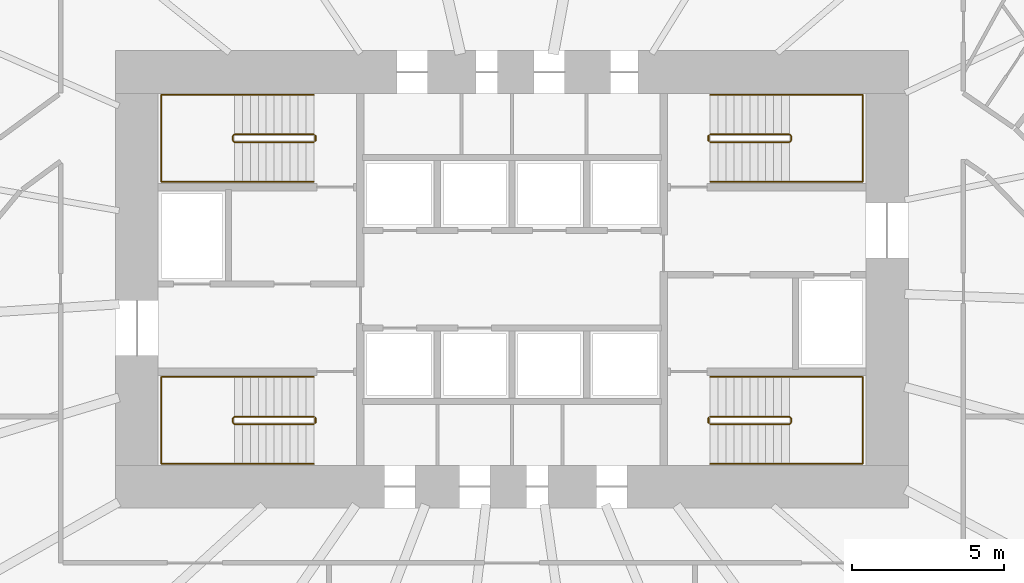
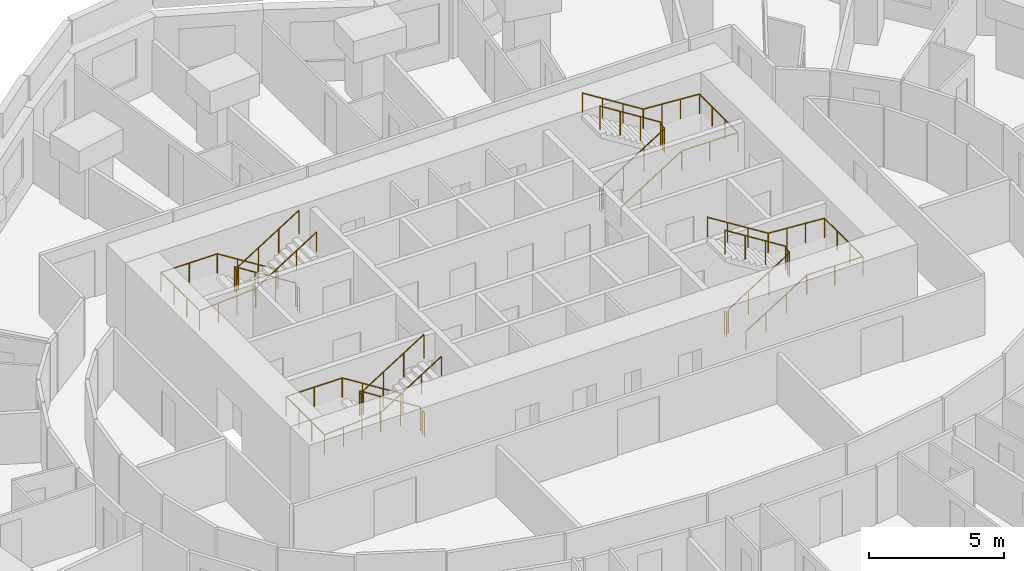
# One storey, part 12 of 12: 12 railings.
"""IFC4 building model written with IfcOpenShell, lengths in metres."""

from ifc_helpers import new_model, si_unit, direction, frame, origin, origin_2d, place, context, subcontext, project, spatial, circle, extrude, material, type_object, element, save


model = new_model("IFC4")

# Units and contexts
model_context = context("Model", 3, precision=1e-05, world=origin(), true_north=direction((0.0, 1.0)))
body_context = subcontext(model_context, "Body", "Model", "MODEL_VIEW")
ifc_project = project(units=[si_unit("LENGTHUNIT", "METRE"), si_unit("AREAUNIT", "SQUARE_METRE"), si_unit("VOLUMEUNIT", "CUBIC_METRE"), si_unit("PLANEANGLEUNIT", "RADIAN"), si_unit("MASSUNIT", "GRAM", prefix="KILO")], contexts=[model_context])

# Site, building, storey
site_placement = place(None, origin())
site = spatial("IfcSite", under=ifc_project, at=site_placement, CompositionType="ELEMENT")
building_placement = place(site_placement, origin())
building = spatial("IfcBuilding", under=site, at=building_placement, Name="Rubra Terraces Tower", CompositionType="ELEMENT")
storey_placement = place(building_placement, frame((0.0, 0.0, 73.5)))
storey = spatial("IfcBuildingStorey", under=building, at=storey_placement, Name="L16", CompositionType="ELEMENT", Elevation=73.5)

# Railings
ifc_material = material(Name="Stainless steel", Category="steel")
railing_type_1 = type_object("IfcRailingType", Name="Core stair guard 1100", PredefinedType="GUARDRAIL", material=ifc_material)
railing_1_placement = place(storey_placement, frame((-6.5, 0.0, 0.16357421875)))
element("IfcRailing", 1, at=railing_1_placement, inside=storey, type_object=railing_type_1, Name="L16 stair S1 guard 1", PredefinedType="GUARDRAIL", context=body_context, shape_type="SweptSolid", body=[
    extrude(circle(Radius=0.02392578125, at=origin_2d()), frame((0.0, 0.0, 1.076171875), z_axis=(-0.846324394277, 0.0, 0.532667832379), x_axis=(0.0, -1.0, 0.0)), (0.0, 0.0, 1.0), 3.072265625),
    extrude(circle(Radius=0.02392578125, at=origin_2d()), frame((-2.60009765625, 0.0, 2.71240234375), z_axis=(-0.705375805398, -0.708833529934, 0.0), x_axis=(0.708833529934, -0.705375805398, 0.0)), (0.0, 0.0, 1.0), 0.070556640625),
    extrude(circle(Radius=0.02392578125, at=origin_2d()), frame((-2.64990234375, -0.050048828125, 2.71240234375), z_axis=(0.0, -1.0, 0.0), x_axis=(1.0, 0.0, 0.0)), (0.0, 0.0, 1.0), 0.14990234375),
    extrude(circle(Radius=0.02392578125, at=origin_2d()), frame((-2.64990234375, -0.199951171875, 2.71240234375), z_axis=(0.279546231943, -0.280916556609, 0.91811752648), x_axis=(0.708833529934, 0.705375805398, 0.0)), (0.0, 0.0, 1.0), 0.17822265625),
    extrude(circle(Radius=0.02392578125, at=origin_2d()), frame((-2.60009765625, -0.25, 2.8759765625), z_axis=(0.846324394277, 0.0, 0.532667832379), x_axis=(0.0, 1.0, 0.0)), (0.0, 0.0, 1.0), 3.072265625),
    extrude(circle(Radius=0.02099609375, at=origin_2d()), origin(), (0.0, 0.0, 1.0), 1.052001953125),
    extrude(circle(Radius=0.02099609375, at=origin_2d()), frame((-0.86669921875, 0.0, 0.54541015625)), (0.0, 0.0, 1.0), 1.052001953125),
    extrude(circle(Radius=0.02099609375, at=origin_2d()), frame((-1.7333984375, 0.0, 1.091064453125)), (0.0, 0.0, 1.0), 1.052001953125),
    extrude(circle(Radius=0.02099609375, at=origin_2d()), frame((-2.60009765625, 0.0, 1.636474609375)), (0.0, 0.0, 1.0), 1.052001953125),
    extrude(circle(Radius=0.02099609375, at=origin_2d()), frame((-2.64990234375, -0.050048828125, 1.636474609375)), (0.0, 0.0, 1.0), 1.052001953125),
    extrude(circle(Radius=0.02099609375, at=origin_2d()), frame((-2.64990234375, -0.199951171875, 1.636474609375)), (0.0, 0.0, 1.0), 1.052001953125),
    extrude(circle(Radius=0.02099609375, at=origin_2d()), frame((-2.60009765625, -0.25, 1.800048828125)), (0.0, 0.0, 1.0), 1.052001953125),
    extrude(circle(Radius=0.02099609375, at=origin_2d()), frame((-1.7333984375, -0.25, 2.345458984375)), (0.0, 0.0, 1.0), 1.052001953125),
    extrude(circle(Radius=0.02099609375, at=origin_2d()), frame((-0.86669921875, -0.25, 2.89111328125)), (0.0, 0.0, 1.0), 1.052001953125),
    extrude(circle(Radius=0.02099609375, at=origin_2d()), frame((0.0, -0.25, 3.4365234375)), (0.0, 0.0, 1.0), 1.052001953125),
])
railing_2_placement = place(storey_placement, frame((-6.449951171875, -0.050048828125, 0.0)))
element("IfcRailing", 2, at=railing_2_placement, inside=storey, type_object=railing_type_1, Name="L16 stair S1 guard 2", PredefinedType="GUARDRAIL", context=body_context, shape_type="SweptSolid", body=[
    extrude(circle(Radius=0.02392578125, at=origin_2d()), frame((0.0, 0.0, 1.076171875), z_axis=(0.0, -1.0, 0.0), x_axis=(1.0, 0.0, 0.0)), (0.0, 0.0, 1.0), 0.14990234375),
    extrude(circle(Radius=0.02099609375, at=origin_2d()), origin(), (0.0, 0.0, 1.0), 1.052001953125),
    extrude(circle(Radius=0.02099609375, at=origin_2d()), frame((0.0, -0.14990234375, 0.0)), (0.0, 0.0, 1.0), 1.052001953125),
])
railing_3_placement = place(storey_placement, frame((-6.5, 9.25, 0.16357421875)))
element("IfcRailing", 3, at=railing_3_placement, inside=storey, type_object=railing_type_1, Name="L16 stair S2 guard 1", PredefinedType="GUARDRAIL", context=body_context, shape_type="SweptSolid", body=[
    extrude(circle(Radius=0.02392578125, at=origin_2d()), frame((0.0, 0.0, 1.076171875), z_axis=(-0.846324394277, 0.0, 0.532667832379), x_axis=(0.0, -1.0, 0.0)), (0.0, 0.0, 1.0), 3.072265625),
    extrude(circle(Radius=0.02392578125, at=origin_2d()), frame((-2.60009765625, 0.0, 2.71240234375), z_axis=(-0.705375805398, -0.708833529934, 0.0), x_axis=(0.708833529934, -0.705375805398, 0.0)), (0.0, 0.0, 1.0), 0.070556640625),
    extrude(circle(Radius=0.02392578125, at=origin_2d()), frame((-2.64990234375, -0.050048828125, 2.71240234375), z_axis=(0.0, -1.0, 0.0), x_axis=(1.0, 0.0, 0.0)), (0.0, 0.0, 1.0), 0.14990234375),
    extrude(circle(Radius=0.02392578125, at=origin_2d()), frame((-2.64990234375, -0.199951171875, 2.71240234375), z_axis=(0.279546231943, -0.280916556609, 0.91811752648), x_axis=(0.708833529934, 0.705375805398, 0.0)), (0.0, 0.0, 1.0), 0.17822265625),
    extrude(circle(Radius=0.02392578125, at=origin_2d()), frame((-2.60009765625, -0.25, 2.8759765625), z_axis=(0.846324394277, 0.0, 0.532667832379), x_axis=(0.0, 1.0, 0.0)), (0.0, 0.0, 1.0), 3.072265625),
    extrude(circle(Radius=0.02099609375, at=origin_2d()), origin(), (0.0, 0.0, 1.0), 1.052001953125),
    extrude(circle(Radius=0.02099609375, at=origin_2d()), frame((-0.86669921875, 0.0, 0.54541015625)), (0.0, 0.0, 1.0), 1.052001953125),
    extrude(circle(Radius=0.02099609375, at=origin_2d()), frame((-1.7333984375, 0.0, 1.091064453125)), (0.0, 0.0, 1.0), 1.052001953125),
    extrude(circle(Radius=0.02099609375, at=origin_2d()), frame((-2.60009765625, 0.0, 1.636474609375)), (0.0, 0.0, 1.0), 1.052001953125),
    extrude(circle(Radius=0.02099609375, at=origin_2d()), frame((-2.64990234375, -0.050048828125, 1.636474609375)), (0.0, 0.0, 1.0), 1.052001953125),
    extrude(circle(Radius=0.02099609375, at=origin_2d()), frame((-2.64990234375, -0.199951171875, 1.636474609375)), (0.0, 0.0, 1.0), 1.052001953125),
    extrude(circle(Radius=0.02099609375, at=origin_2d()), frame((-2.60009765625, -0.25, 1.800048828125)), (0.0, 0.0, 1.0), 1.052001953125),
    extrude(circle(Radius=0.02099609375, at=origin_2d()), frame((-1.7333984375, -0.25, 2.345458984375)), (0.0, 0.0, 1.0), 1.052001953125),
    extrude(circle(Radius=0.02099609375, at=origin_2d()), frame((-0.86669921875, -0.25, 2.89111328125)), (0.0, 0.0, 1.0), 1.052001953125),
    extrude(circle(Radius=0.02099609375, at=origin_2d()), frame((0.0, -0.25, 3.4365234375)), (0.0, 0.0, 1.0), 1.052001953125),
])
railing_4_placement = place(storey_placement, frame((-6.449951171875, 9.199951171875, 0.0)))
element("IfcRailing", 4, at=railing_4_placement, inside=storey, type_object=railing_type_1, Name="L16 stair S2 guard 2", PredefinedType="GUARDRAIL", context=body_context, shape_type="SweptSolid", body=[
    extrude(circle(Radius=0.02392578125, at=origin_2d()), frame((0.0, 0.0, 1.076171875), z_axis=(0.0, -1.0, 0.0), x_axis=(1.0, 0.0, 0.0)), (0.0, 0.0, 1.0), 0.14990234375),
    extrude(circle(Radius=0.02099609375, at=origin_2d()), origin(), (0.0, 0.0, 1.0), 1.052001953125),
    extrude(circle(Radius=0.02099609375, at=origin_2d()), frame((0.0, -0.14990234375, 0.0)), (0.0, 0.0, 1.0), 1.052001953125),
])
railing_5_placement = place(storey_placement, frame((6.5, 9.0, 0.16357421875)))
element("IfcRailing", 5, at=railing_5_placement, inside=storey, type_object=railing_type_1, Name="L16 stair S3 guard 1", PredefinedType="GUARDRAIL", context=body_context, shape_type="SweptSolid", body=[
    extrude(circle(Radius=0.02392578125, at=origin_2d()), frame((0.0, 0.0, 1.076171875), z_axis=(0.846324394277, 0.0, 0.532667832379), x_axis=(0.0, 1.0, 0.0)), (0.0, 0.0, 1.0), 3.072265625),
    extrude(circle(Radius=0.02392578125, at=origin_2d()), frame((2.60009765625, 0.0, 2.71240234375), z_axis=(0.705375805398, 0.708833529934, 0.0), x_axis=(-0.708833529934, 0.705375805398, 0.0)), (0.0, 0.0, 1.0), 0.070556640625),
    extrude(circle(Radius=0.02392578125, at=origin_2d()), frame((2.64990234375, 0.050048828125, 2.71240234375), z_axis=(0.0, 1.0, 0.0), x_axis=(-1.0, 0.0, 0.0)), (0.0, 0.0, 1.0), 0.14990234375),
    extrude(circle(Radius=0.02392578125, at=origin_2d()), frame((2.64990234375, 0.199951171875, 2.71240234375), z_axis=(-0.279546231943, 0.280916556609, 0.91811752648), x_axis=(-0.708833529934, -0.705375805398, 0.0)), (0.0, 0.0, 1.0), 0.17822265625),
    extrude(circle(Radius=0.02392578125, at=origin_2d()), frame((2.60009765625, 0.25, 2.8759765625), z_axis=(-0.846324394277, 0.0, 0.532667832379), x_axis=(0.0, -1.0, 0.0)), (0.0, 0.0, 1.0), 3.072265625),
    extrude(circle(Radius=0.02099609375, at=origin_2d()), origin(), (0.0, 0.0, 1.0), 1.052001953125),
    extrude(circle(Radius=0.02099609375, at=origin_2d()), frame((0.86669921875, 0.0, 0.54541015625)), (0.0, 0.0, 1.0), 1.052001953125),
    extrude(circle(Radius=0.02099609375, at=origin_2d()), frame((1.7333984375, 0.0, 1.091064453125)), (0.0, 0.0, 1.0), 1.052001953125),
    extrude(circle(Radius=0.02099609375, at=origin_2d()), frame((2.60009765625, 0.0, 1.636474609375)), (0.0, 0.0, 1.0), 1.052001953125),
    extrude(circle(Radius=0.02099609375, at=origin_2d()), frame((2.64990234375, 0.050048828125, 1.636474609375)), (0.0, 0.0, 1.0), 1.052001953125),
    extrude(circle(Radius=0.02099609375, at=origin_2d()), frame((2.64990234375, 0.199951171875, 1.636474609375)), (0.0, 0.0, 1.0), 1.052001953125),
    extrude(circle(Radius=0.02099609375, at=origin_2d()), frame((2.60009765625, 0.25, 1.800048828125)), (0.0, 0.0, 1.0), 1.052001953125),
    extrude(circle(Radius=0.02099609375, at=origin_2d()), frame((1.7333984375, 0.25, 2.345458984375)), (0.0, 0.0, 1.0), 1.052001953125),
    extrude(circle(Radius=0.02099609375, at=origin_2d()), frame((0.86669921875, 0.25, 2.89111328125)), (0.0, 0.0, 1.0), 1.052001953125),
    extrude(circle(Radius=0.02099609375, at=origin_2d()), frame((0.0, 0.25, 3.4365234375)), (0.0, 0.0, 1.0), 1.052001953125),
])
railing_6_placement = place(storey_placement, frame((6.449951171875, 9.050048828125, 0.0)))
element("IfcRailing", 6, at=railing_6_placement, inside=storey, type_object=railing_type_1, Name="L16 stair S3 guard 2", PredefinedType="GUARDRAIL", context=body_context, shape_type="SweptSolid", body=[
    extrude(circle(Radius=0.02392578125, at=origin_2d()), frame((0.0, 0.0, 1.076171875), z_axis=(0.0, 1.0, 0.0), x_axis=(-1.0, 0.0, 0.0)), (0.0, 0.0, 1.0), 0.14990234375),
    extrude(circle(Radius=0.02099609375, at=origin_2d()), origin(), (0.0, 0.0, 1.0), 1.052001953125),
    extrude(circle(Radius=0.02099609375, at=origin_2d()), frame((0.0, 0.14990234375, 0.0)), (0.0, 0.0, 1.0), 1.052001953125),
])
railing_7_placement = place(storey_placement, frame((6.5, -0.25, 0.16357421875)))
element("IfcRailing", 7, at=railing_7_placement, inside=storey, type_object=railing_type_1, Name="L16 stair S4 guard 1", PredefinedType="GUARDRAIL", context=body_context, shape_type="SweptSolid", body=[
    extrude(circle(Radius=0.02392578125, at=origin_2d()), frame((0.0, 0.0, 1.076171875), z_axis=(0.846324394277, 0.0, 0.532667832379), x_axis=(0.0, 1.0, 0.0)), (0.0, 0.0, 1.0), 3.072265625),
    extrude(circle(Radius=0.02392578125, at=origin_2d()), frame((2.60009765625, 0.0, 2.71240234375), z_axis=(0.705375805398, 0.708833529934, 0.0), x_axis=(-0.708833529934, 0.705375805398, 0.0)), (0.0, 0.0, 1.0), 0.070556640625),
    extrude(circle(Radius=0.02392578125, at=origin_2d()), frame((2.64990234375, 0.050048828125, 2.71240234375), z_axis=(0.0, 1.0, 0.0), x_axis=(-1.0, 0.0, 0.0)), (0.0, 0.0, 1.0), 0.14990234375),
    extrude(circle(Radius=0.02392578125, at=origin_2d()), frame((2.64990234375, 0.199951171875, 2.71240234375), z_axis=(-0.279546231943, 0.280916556609, 0.91811752648), x_axis=(-0.708833529934, -0.705375805398, 0.0)), (0.0, 0.0, 1.0), 0.17822265625),
    extrude(circle(Radius=0.02392578125, at=origin_2d()), frame((2.60009765625, 0.25, 2.8759765625), z_axis=(-0.846324394277, 0.0, 0.532667832379), x_axis=(0.0, -1.0, 0.0)), (0.0, 0.0, 1.0), 3.072265625),
    extrude(circle(Radius=0.02099609375, at=origin_2d()), origin(), (0.0, 0.0, 1.0), 1.052001953125),
    extrude(circle(Radius=0.02099609375, at=origin_2d()), frame((0.86669921875, 0.0, 0.54541015625)), (0.0, 0.0, 1.0), 1.052001953125),
    extrude(circle(Radius=0.02099609375, at=origin_2d()), frame((1.7333984375, 0.0, 1.091064453125)), (0.0, 0.0, 1.0), 1.052001953125),
    extrude(circle(Radius=0.02099609375, at=origin_2d()), frame((2.60009765625, 0.0, 1.636474609375)), (0.0, 0.0, 1.0), 1.052001953125),
    extrude(circle(Radius=0.02099609375, at=origin_2d()), frame((2.64990234375, 0.050048828125, 1.636474609375)), (0.0, 0.0, 1.0), 1.052001953125),
    extrude(circle(Radius=0.02099609375, at=origin_2d()), frame((2.64990234375, 0.199951171875, 1.636474609375)), (0.0, 0.0, 1.0), 1.052001953125),
    extrude(circle(Radius=0.02099609375, at=origin_2d()), frame((2.60009765625, 0.25, 1.800048828125)), (0.0, 0.0, 1.0), 1.052001953125),
    extrude(circle(Radius=0.02099609375, at=origin_2d()), frame((1.7333984375, 0.25, 2.345458984375)), (0.0, 0.0, 1.0), 1.052001953125),
    extrude(circle(Radius=0.02099609375, at=origin_2d()), frame((0.86669921875, 0.25, 2.89111328125)), (0.0, 0.0, 1.0), 1.052001953125),
    extrude(circle(Radius=0.02099609375, at=origin_2d()), frame((0.0, 0.25, 3.4365234375)), (0.0, 0.0, 1.0), 1.052001953125),
])
railing_8_placement = place(storey_placement, frame((6.449951171875, -0.199951171875, 0.0)))
element("IfcRailing", 8, at=railing_8_placement, inside=storey, type_object=railing_type_1, Name="L16 stair S4 guard 2", PredefinedType="GUARDRAIL", context=body_context, shape_type="SweptSolid", body=[
    extrude(circle(Radius=0.02392578125, at=origin_2d()), frame((0.0, 0.0, 1.076171875), z_axis=(0.0, 1.0, 0.0), x_axis=(-1.0, 0.0, 0.0)), (0.0, 0.0, 1.0), 0.14990234375),
    extrude(circle(Radius=0.02099609375, at=origin_2d()), origin(), (0.0, 0.0, 1.0), 1.052001953125),
    extrude(circle(Radius=0.02099609375, at=origin_2d()), frame((0.0, 0.14990234375, 0.0)), (0.0, 0.0, 1.0), 1.052001953125),
])
railing_type_2 = type_object("IfcRailingType", Name="Core stair handrail 900", PredefinedType="HANDRAIL", material=ifc_material)
railing_9_placement = place(storey_placement, frame((-6.5, 1.300048828125, 0.16357421875)))
element("IfcRailing", 9, at=railing_9_placement, inside=storey, type_object=railing_type_2, Name="L16 stair S1 handrail 1", PredefinedType="HANDRAIL", context=body_context, shape_type="SweptSolid", body=[
    extrude(circle(Radius=0.02392578125, at=origin_2d()), frame((0.0, 0.0, 0.8759765625), z_axis=(-0.846324394277, 0.0, 0.532667832379), x_axis=(0.0, -1.0, 0.0)), (0.0, 0.0, 1.0), 3.072265625),
    extrude(circle(Radius=0.02392578125, at=origin_2d()), frame((-2.60009765625, 0.0, 2.51220703125), z_axis=(-1.0, 0.0, 0.0), x_axis=(0.0, -1.0, 0.0)), (0.0, 0.0, 1.0), 2.39990234375),
    extrude(circle(Radius=0.02392578125, at=origin_2d()), frame((-5.0, 0.0, 2.51220703125), z_axis=(0.0, -1.0, 0.0), x_axis=(1.0, 0.0, 0.0)), (0.0, 0.0, 1.0), 2.85009765625),
    extrude(circle(Radius=0.02392578125, at=origin_2d()), frame((-5.0, -2.85009765625, 2.51220703125), z_axis=(0.997685257876, 0.0, 0.068000928055), x_axis=(0.0, 1.0, 0.0)), (0.0, 0.0, 1.0), 2.405517578125),
    extrude(circle(Radius=0.02392578125, at=origin_2d()), frame((-2.60009765625, -2.85009765625, 2.67578125), z_axis=(0.846324394277, 0.0, 0.532667832379), x_axis=(0.0, 1.0, 0.0)), (0.0, 0.0, 1.0), 3.072265625),
    extrude(circle(Radius=0.02099609375, at=origin_2d()), origin(), (0.0, 0.0, 1.0), 0.851806640625),
    extrude(circle(Radius=0.02099609375, at=origin_2d()), frame((-0.86669921875, 0.0, 0.54541015625)), (0.0, 0.0, 1.0), 0.851806640625),
    extrude(circle(Radius=0.02099609375, at=origin_2d()), frame((-1.7333984375, 0.0, 1.091064453125)), (0.0, 0.0, 1.0), 0.851806640625),
    extrude(circle(Radius=0.02099609375, at=origin_2d()), frame((-2.60009765625, 0.0, 1.636474609375)), (0.0, 0.0, 1.0), 0.851806640625),
    extrude(circle(Radius=0.02099609375, at=origin_2d()), frame((-3.800048828125, 0.0, 1.636474609375)), (0.0, 0.0, 1.0), 0.851806640625),
    extrude(circle(Radius=0.02099609375, at=origin_2d()), frame((-5.0, 0.0, 1.636474609375)), (0.0, 0.0, 1.0), 0.851806640625),
    extrude(circle(Radius=0.02099609375, at=origin_2d()), frame((-5.0, -0.949951171875, 1.636474609375)), (0.0, 0.0, 1.0), 0.851806640625),
    extrude(circle(Radius=0.02099609375, at=origin_2d()), frame((-5.0, -1.900146484375, 1.636474609375)), (0.0, 0.0, 1.0), 0.851806640625),
    extrude(circle(Radius=0.02099609375, at=origin_2d()), frame((-5.0, -2.85009765625, 1.636474609375)), (0.0, 0.0, 1.0), 0.851806640625),
    extrude(circle(Radius=0.02099609375, at=origin_2d()), frame((-4.199951171875, -2.85009765625, 1.69091796875)), (0.0, 0.0, 1.0), 0.851806640625),
    extrude(circle(Radius=0.02099609375, at=origin_2d()), frame((-3.400146484375, -2.85009765625, 1.74560546875)), (0.0, 0.0, 1.0), 0.851806640625),
    extrude(circle(Radius=0.02099609375, at=origin_2d()), frame((-2.60009765625, -2.85009765625, 1.800048828125)), (0.0, 0.0, 1.0), 0.851806640625),
    extrude(circle(Radius=0.02099609375, at=origin_2d()), frame((-1.7333984375, -2.85009765625, 2.345458984375)), (0.0, 0.0, 1.0), 0.851806640625),
    extrude(circle(Radius=0.02099609375, at=origin_2d()), frame((-0.86669921875, -2.85009765625, 2.89111328125)), (0.0, 0.0, 1.0), 0.851806640625),
    extrude(circle(Radius=0.02099609375, at=origin_2d()), frame((0.0, -2.85009765625, 3.4365234375)), (0.0, 0.0, 1.0), 0.851806640625),
])
railing_10_placement = place(storey_placement, frame((-6.5, 10.550048828125, 0.16357421875)))
element("IfcRailing", 10, at=railing_10_placement, inside=storey, type_object=railing_type_2, Name="L16 stair S2 handrail 1", PredefinedType="HANDRAIL", context=body_context, shape_type="SweptSolid", body=[
    extrude(circle(Radius=0.02392578125, at=origin_2d()), frame((0.0, 0.0, 0.8759765625), z_axis=(-0.846324394277, 0.0, 0.532667832379), x_axis=(0.0, -1.0, 0.0)), (0.0, 0.0, 1.0), 3.072265625),
    extrude(circle(Radius=0.02392578125, at=origin_2d()), frame((-2.60009765625, 0.0, 2.51220703125), z_axis=(-1.0, 0.0, 0.0), x_axis=(0.0, -1.0, 0.0)), (0.0, 0.0, 1.0), 2.39990234375),
    extrude(circle(Radius=0.02392578125, at=origin_2d()), frame((-5.0, 0.0, 2.51220703125), z_axis=(0.0, -1.0, 0.0), x_axis=(1.0, 0.0, 0.0)), (0.0, 0.0, 1.0), 2.85009765625),
    extrude(circle(Radius=0.02392578125, at=origin_2d()), frame((-5.0, -2.85009765625, 2.51220703125), z_axis=(0.997685257876, 0.0, 0.068000928055), x_axis=(0.0, 1.0, 0.0)), (0.0, 0.0, 1.0), 2.405517578125),
    extrude(circle(Radius=0.02392578125, at=origin_2d()), frame((-2.60009765625, -2.85009765625, 2.67578125), z_axis=(0.846324394277, 0.0, 0.532667832379), x_axis=(0.0, 1.0, 0.0)), (0.0, 0.0, 1.0), 3.072265625),
    extrude(circle(Radius=0.02099609375, at=origin_2d()), origin(), (0.0, 0.0, 1.0), 0.851806640625),
    extrude(circle(Radius=0.02099609375, at=origin_2d()), frame((-0.86669921875, 0.0, 0.54541015625)), (0.0, 0.0, 1.0), 0.851806640625),
    extrude(circle(Radius=0.02099609375, at=origin_2d()), frame((-1.7333984375, 0.0, 1.091064453125)), (0.0, 0.0, 1.0), 0.851806640625),
    extrude(circle(Radius=0.02099609375, at=origin_2d()), frame((-2.60009765625, 0.0, 1.636474609375)), (0.0, 0.0, 1.0), 0.851806640625),
    extrude(circle(Radius=0.02099609375, at=origin_2d()), frame((-3.800048828125, 0.0, 1.636474609375)), (0.0, 0.0, 1.0), 0.851806640625),
    extrude(circle(Radius=0.02099609375, at=origin_2d()), frame((-5.0, 0.0, 1.636474609375)), (0.0, 0.0, 1.0), 0.851806640625),
    extrude(circle(Radius=0.02099609375, at=origin_2d()), frame((-5.0, -0.949951171875, 1.636474609375)), (0.0, 0.0, 1.0), 0.851806640625),
    extrude(circle(Radius=0.02099609375, at=origin_2d()), frame((-5.0, -1.900146484375, 1.636474609375)), (0.0, 0.0, 1.0), 0.851806640625),
    extrude(circle(Radius=0.02099609375, at=origin_2d()), frame((-5.0, -2.85009765625, 1.636474609375)), (0.0, 0.0, 1.0), 0.851806640625),
    extrude(circle(Radius=0.02099609375, at=origin_2d()), frame((-4.199951171875, -2.85009765625, 1.69091796875)), (0.0, 0.0, 1.0), 0.851806640625),
    extrude(circle(Radius=0.02099609375, at=origin_2d()), frame((-3.400146484375, -2.85009765625, 1.74560546875)), (0.0, 0.0, 1.0), 0.851806640625),
    extrude(circle(Radius=0.02099609375, at=origin_2d()), frame((-2.60009765625, -2.85009765625, 1.800048828125)), (0.0, 0.0, 1.0), 0.851806640625),
    extrude(circle(Radius=0.02099609375, at=origin_2d()), frame((-1.7333984375, -2.85009765625, 2.345458984375)), (0.0, 0.0, 1.0), 0.851806640625),
    extrude(circle(Radius=0.02099609375, at=origin_2d()), frame((-0.86669921875, -2.85009765625, 2.89111328125)), (0.0, 0.0, 1.0), 0.851806640625),
    extrude(circle(Radius=0.02099609375, at=origin_2d()), frame((0.0, -2.85009765625, 3.4365234375)), (0.0, 0.0, 1.0), 0.851806640625),
])
railing_11_placement = place(storey_placement, frame((6.5, 7.699951171875, 0.16357421875)))
element("IfcRailing", 11, at=railing_11_placement, inside=storey, type_object=railing_type_2, Name="L16 stair S3 handrail 1", PredefinedType="HANDRAIL", context=body_context, shape_type="SweptSolid", body=[
    extrude(circle(Radius=0.02392578125, at=origin_2d()), frame((0.0, 0.0, 0.8759765625), z_axis=(0.846324394277, 0.0, 0.532667832379), x_axis=(0.0, 1.0, 0.0)), (0.0, 0.0, 1.0), 3.072265625),
    extrude(circle(Radius=0.02392578125, at=origin_2d()), frame((2.60009765625, 0.0, 2.51220703125), z_axis=(1.0, 0.0, 0.0), x_axis=(0.0, 1.0, 0.0)), (0.0, 0.0, 1.0), 2.39990234375),
    extrude(circle(Radius=0.02392578125, at=origin_2d()), frame((5.0, 0.0, 2.51220703125), z_axis=(0.0, 1.0, 0.0), x_axis=(-1.0, 0.0, 0.0)), (0.0, 0.0, 1.0), 2.85009765625),
    extrude(circle(Radius=0.02392578125, at=origin_2d()), frame((5.0, 2.85009765625, 2.51220703125), z_axis=(-0.997685257876, 0.0, 0.068000928055), x_axis=(0.0, -1.0, 0.0)), (0.0, 0.0, 1.0), 2.405517578125),
    extrude(circle(Radius=0.02392578125, at=origin_2d()), frame((2.60009765625, 2.85009765625, 2.67578125), z_axis=(-0.846324394277, 0.0, 0.532667832379), x_axis=(0.0, -1.0, 0.0)), (0.0, 0.0, 1.0), 3.072265625),
    extrude(circle(Radius=0.02099609375, at=origin_2d()), origin(), (0.0, 0.0, 1.0), 0.851806640625),
    extrude(circle(Radius=0.02099609375, at=origin_2d()), frame((0.86669921875, 0.0, 0.54541015625)), (0.0, 0.0, 1.0), 0.851806640625),
    extrude(circle(Radius=0.02099609375, at=origin_2d()), frame((1.7333984375, 0.0, 1.091064453125)), (0.0, 0.0, 1.0), 0.851806640625),
    extrude(circle(Radius=0.02099609375, at=origin_2d()), frame((2.60009765625, 0.0, 1.636474609375)), (0.0, 0.0, 1.0), 0.851806640625),
    extrude(circle(Radius=0.02099609375, at=origin_2d()), frame((3.800048828125, 0.0, 1.636474609375)), (0.0, 0.0, 1.0), 0.851806640625),
    extrude(circle(Radius=0.02099609375, at=origin_2d()), frame((5.0, 0.0, 1.636474609375)), (0.0, 0.0, 1.0), 0.851806640625),
    extrude(circle(Radius=0.02099609375, at=origin_2d()), frame((5.0, 0.949951171875, 1.636474609375)), (0.0, 0.0, 1.0), 0.851806640625),
    extrude(circle(Radius=0.02099609375, at=origin_2d()), frame((5.0, 1.900146484375, 1.636474609375)), (0.0, 0.0, 1.0), 0.851806640625),
    extrude(circle(Radius=0.02099609375, at=origin_2d()), frame((5.0, 2.85009765625, 1.636474609375)), (0.0, 0.0, 1.0), 0.851806640625),
    extrude(circle(Radius=0.02099609375, at=origin_2d()), frame((4.199951171875, 2.85009765625, 1.69091796875)), (0.0, 0.0, 1.0), 0.851806640625),
    extrude(circle(Radius=0.02099609375, at=origin_2d()), frame((3.400146484375, 2.85009765625, 1.74560546875)), (0.0, 0.0, 1.0), 0.851806640625),
    extrude(circle(Radius=0.02099609375, at=origin_2d()), frame((2.60009765625, 2.85009765625, 1.800048828125)), (0.0, 0.0, 1.0), 0.851806640625),
    extrude(circle(Radius=0.02099609375, at=origin_2d()), frame((1.7333984375, 2.85009765625, 2.345458984375)), (0.0, 0.0, 1.0), 0.851806640625),
    extrude(circle(Radius=0.02099609375, at=origin_2d()), frame((0.86669921875, 2.85009765625, 2.89111328125)), (0.0, 0.0, 1.0), 0.851806640625),
    extrude(circle(Radius=0.02099609375, at=origin_2d()), frame((0.0, 2.85009765625, 3.4365234375)), (0.0, 0.0, 1.0), 0.851806640625),
])
railing_12_placement = place(storey_placement, frame((6.5, -1.550048828125, 0.16357421875)))
element("IfcRailing", 12, at=railing_12_placement, inside=storey, type_object=railing_type_2, Name="L16 stair S4 handrail 1", PredefinedType="HANDRAIL", context=body_context, shape_type="SweptSolid", body=[
    extrude(circle(Radius=0.02392578125, at=origin_2d()), frame((0.0, 0.0, 0.8759765625), z_axis=(0.846324394277, 0.0, 0.532667832379), x_axis=(0.0, 1.0, 0.0)), (0.0, 0.0, 1.0), 3.072265625),
    extrude(circle(Radius=0.02392578125, at=origin_2d()), frame((2.60009765625, 0.0, 2.51220703125), z_axis=(1.0, 0.0, 0.0), x_axis=(0.0, 1.0, 0.0)), (0.0, 0.0, 1.0), 2.39990234375),
    extrude(circle(Radius=0.02392578125, at=origin_2d()), frame((5.0, 0.0, 2.51220703125), z_axis=(0.0, 1.0, 0.0), x_axis=(-1.0, 0.0, 0.0)), (0.0, 0.0, 1.0), 2.85009765625),
    extrude(circle(Radius=0.02392578125, at=origin_2d()), frame((5.0, 2.85009765625, 2.51220703125), z_axis=(-0.997685257876, 0.0, 0.068000928055), x_axis=(0.0, -1.0, 0.0)), (0.0, 0.0, 1.0), 2.405517578125),
    extrude(circle(Radius=0.02392578125, at=origin_2d()), frame((2.60009765625, 2.85009765625, 2.67578125), z_axis=(-0.846324394277, 0.0, 0.532667832379), x_axis=(0.0, -1.0, 0.0)), (0.0, 0.0, 1.0), 3.072265625),
    extrude(circle(Radius=0.02099609375, at=origin_2d()), origin(), (0.0, 0.0, 1.0), 0.851806640625),
    extrude(circle(Radius=0.02099609375, at=origin_2d()), frame((0.86669921875, 0.0, 0.54541015625)), (0.0, 0.0, 1.0), 0.851806640625),
    extrude(circle(Radius=0.02099609375, at=origin_2d()), frame((1.7333984375, 0.0, 1.091064453125)), (0.0, 0.0, 1.0), 0.851806640625),
    extrude(circle(Radius=0.02099609375, at=origin_2d()), frame((2.60009765625, 0.0, 1.636474609375)), (0.0, 0.0, 1.0), 0.851806640625),
    extrude(circle(Radius=0.02099609375, at=origin_2d()), frame((3.800048828125, 0.0, 1.636474609375)), (0.0, 0.0, 1.0), 0.851806640625),
    extrude(circle(Radius=0.02099609375, at=origin_2d()), frame((5.0, 0.0, 1.636474609375)), (0.0, 0.0, 1.0), 0.851806640625),
    extrude(circle(Radius=0.02099609375, at=origin_2d()), frame((5.0, 0.949951171875, 1.636474609375)), (0.0, 0.0, 1.0), 0.851806640625),
    extrude(circle(Radius=0.02099609375, at=origin_2d()), frame((5.0, 1.900146484375, 1.636474609375)), (0.0, 0.0, 1.0), 0.851806640625),
    extrude(circle(Radius=0.02099609375, at=origin_2d()), frame((5.0, 2.85009765625, 1.636474609375)), (0.0, 0.0, 1.0), 0.851806640625),
    extrude(circle(Radius=0.02099609375, at=origin_2d()), frame((4.199951171875, 2.85009765625, 1.69091796875)), (0.0, 0.0, 1.0), 0.851806640625),
    extrude(circle(Radius=0.02099609375, at=origin_2d()), frame((3.400146484375, 2.85009765625, 1.74560546875)), (0.0, 0.0, 1.0), 0.851806640625),
    extrude(circle(Radius=0.02099609375, at=origin_2d()), frame((2.60009765625, 2.85009765625, 1.800048828125)), (0.0, 0.0, 1.0), 0.851806640625),
    extrude(circle(Radius=0.02099609375, at=origin_2d()), frame((1.7333984375, 2.85009765625, 2.345458984375)), (0.0, 0.0, 1.0), 0.851806640625),
    extrude(circle(Radius=0.02099609375, at=origin_2d()), frame((0.86669921875, 2.85009765625, 2.89111328125)), (0.0, 0.0, 1.0), 0.851806640625),
    extrude(circle(Radius=0.02099609375, at=origin_2d()), frame((0.0, 2.85009765625, 3.4365234375)), (0.0, 0.0, 1.0), 0.851806640625),
])

save(model, "model.ifc")
